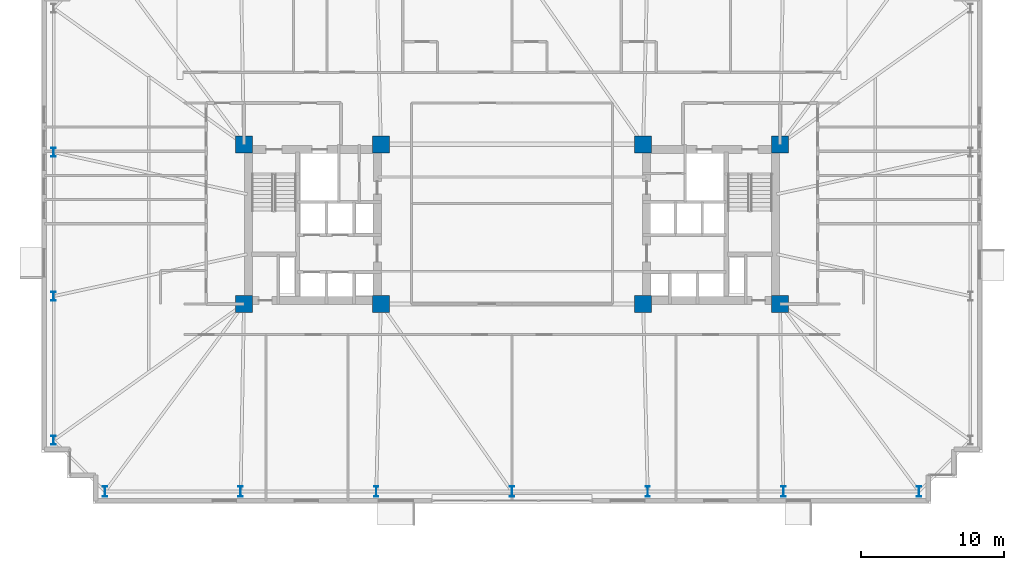
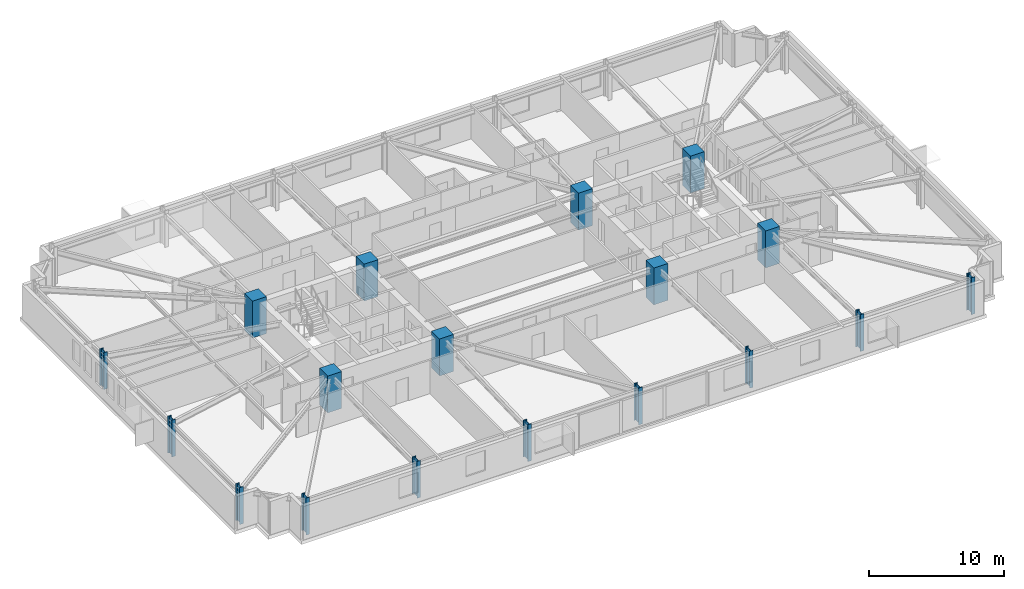
# One storey, part 1 of 26: 18 columns.
"""IFC4 building model written with IfcOpenShell, lengths in metres."""

from ifc_helpers import new_model, si_unit, direction, frame, origin, origin_2d, place, context, subcontext, project, spatial, rectangle, i_section, extrude, material, material_profile, profile_set, type_object, element, save


model = new_model("IFC4")

# Units and contexts
model_context = context("Model", 3, precision=1e-05, world=origin(), true_north=direction((0.0, 1.0)))
body_context = subcontext(model_context, "Body", "Model", "MODEL_VIEW")
ifc_project = project(units=[si_unit("LENGTHUNIT", "METRE"), si_unit("AREAUNIT", "SQUARE_METRE"), si_unit("VOLUMEUNIT", "CUBIC_METRE"), si_unit("PLANEANGLEUNIT", "RADIAN"), si_unit("MASSUNIT", "GRAM", prefix="KILO")], contexts=[model_context])

# Site, building, storey
site_placement = place(None, origin())
site = spatial("IfcSite", under=ifc_project, at=site_placement, CompositionType="ELEMENT")
building_placement = place(site_placement, origin())
building = spatial("IfcBuilding", under=site, at=building_placement, Name="Qobustan Lattice House", CompositionType="ELEMENT")
storey_placement = place(building_placement, frame((0.0, 0.0, 47.10009765625)))
storey = spatial("IfcBuildingStorey", under=building, at=storey_placement, Name="L12", CompositionType="ELEMENT", Elevation=47.10009765625)

# Columns
ifc_material_1 = material(Name="Concrete C60/75", Category="concrete")
ifc_material_profile_1 = material_profile(ifc_material_1, rectangle(XDim=1.199951171875, YDim=1.199951171875, at=origin_2d()), Name="RC1200x1200")
ifc_profile_set_1 = profile_set([ifc_material_profile_1], Name="Concrete C60/75")
column_type_1 = type_object("IfcColumnType", Name="COL-RC-1200", PredefinedType="COLUMN", material=ifc_profile_set_1)
for number, where, z_axis, x_axis, name in (
    (1, (-18.800048828125, -5.60009765625, 0.0), (0.0, 0.0, 1.0), (1.0, 0.0, 0.0), "L12 core mega-column CW-SW"),
    (2, (-18.800048828125, 5.60009765625, 0.0), (0.0, 0.0, 1.0), (1.0, 0.0, 0.0), "L12 core mega-column CW-NW"),
    (3, (-9.199951171875, -5.60009765625, 0.0), (0.0, 0.0, 1.0), (1.0, 0.0, 0.0), "L12 core mega-column CW-SE"),
    (4, (-9.199951171875, 5.60009765625, 0.0), (0.0, 0.0, 1.0), (1.0, 0.0, 0.0), "L12 core mega-column CW-NE"),
    (5, (9.199951171875, -5.60009765625, 0.0), (0.0, 0.0, 1.0), (1.0, 0.0, 0.0), "L12 core mega-column CE-SW"),
    (6, (9.199951171875, 5.60009765625, 0.0), (0.0, 0.0, 1.0), (1.0, 0.0, 0.0), "L12 core mega-column CE-NW"),
    (7, (18.800048828125, -5.60009765625, 0.0), (0.0, 0.0, 1.0), (1.0, 0.0, 0.0), "L12 core mega-column CE-SE"),
    (8, (18.800048828125, 5.60009765625, 0.0), (0.0, 0.0, 1.0), (1.0, 0.0, 0.0), "L12 core mega-column CE-NE"),
):
    element("IfcColumn", number, at=place(storey_placement, frame(where, z_axis=z_axis, x_axis=x_axis)), inside=storey, type_object=column_type_1, Name=name, PredefinedType="COLUMN", context=body_context, shape_type="SweptSolid", body=[
        extrude(rectangle(XDim=1.199951171875, YDim=1.199951171875, at=origin_2d()), origin(), (0.0, 0.0, 1.0), 3.349853515625),
    ])
ifc_material_2 = material(Name="Steel S460", Category="steel")
ifc_material_profile_2 = material_profile(ifc_material_2, i_section(OverallWidth=0.304931640625, OverallDepth=0.6201171875, WebThickness=0.02099609375, FlangeThickness=0.0400390625, FilletRadius=0.027099609375, at=origin_2d()), Name="HEM600")
ifc_profile_set_2 = profile_set([ifc_material_profile_2], Name="Steel S460")
column_type_2 = type_object("IfcColumnType", Name="COL-ST-HEM600", PredefinedType="COLUMN", material=ifc_profile_set_2)
for number, where, z_axis, x_axis, name in (
    (9, (-32.14990234375, 5.050048828125, 0.0), (0.0, 0.0, 1.0), (1.0, 0.0, 0.0), "L12 B1 perimeter column W2"),
    (10, (-32.14990234375, -5.050048828125, 0.0), (0.0, 0.0, 1.0), (1.0, 0.0, 0.0), "L12 B1 perimeter column W3"),
    (11, (-32.14990234375, -15.14990234375, 0.0), (0.0, 0.0, 1.0), (1.0, 0.0, 0.0), "L12 B1 perimeter column W4"),
):
    element("IfcColumn", number, at=place(storey_placement, frame(where, z_axis=z_axis, x_axis=x_axis)), inside=storey, type_object=column_type_2, Name=name, PredefinedType="COLUMN", context=body_context, shape_type="SweptSolid", body=[
        extrude(i_section(OverallWidth=0.304931640625, OverallDepth=0.6201171875, WebThickness=0.02099609375, FlangeThickness=0.0400390625, FilletRadius=0.027099609375, at=origin_2d()), origin(), (0.0, 0.0, 1.0), 3.349853515625),
    ])
ifc_material_3 = material(Name="Steel S460", Category="steel")
ifc_material_profile_3 = material_profile(ifc_material_3, i_section(OverallWidth=0.303955078125, OverallDepth=0.716064453125, WebThickness=0.02099609375, FlangeThickness=0.0400390625, FilletRadius=0.027099609375, at=origin_2d()), Name="HEM700")
ifc_profile_set_3 = profile_set([ifc_material_profile_3], Name="Steel S460")
column_type_3 = type_object("IfcColumnType", Name="COL-ST-HEM700", PredefinedType="COLUMN", material=ifc_profile_set_3)
for number, where, z_axis, x_axis, name in (
    (12, (-28.550048828125, -18.75, 0.0), (0.0, 0.0, 1.0), (1.0, 0.0, 0.0), "L12 B1 perimeter column S1"),
    (13, (-19.033203125, -18.75, 0.0), (0.0, 0.0, 1.0), (1.0, 0.0, 0.0), "L12 B1 perimeter column S2"),
    (14, (-9.5166015625, -18.75, 0.0), (0.0, 0.0, 1.0), (1.0, 0.0, 0.0), "L12 B1 perimeter column S3"),
    (15, (0.0, -18.75, 0.0), (0.0, 0.0, 1.0), (1.0, 0.0, 0.0), "L12 B1 perimeter column S4"),
    (16, (9.5166015625, -18.75, 0.0), (0.0, 0.0, 1.0), (1.0, 0.0, 0.0), "L12 B1 perimeter column S5"),
    (17, (19.033203125, -18.75, 0.0), (0.0, 0.0, 1.0), (1.0, 0.0, 0.0), "L12 B1 perimeter column S6"),
    (18, (28.550048828125, -18.75, 0.0), (0.0, 0.0, 1.0), (1.0, 0.0, 0.0), "L12 B1 perimeter column S7"),
):
    element("IfcColumn", number, at=place(storey_placement, frame(where, z_axis=z_axis, x_axis=x_axis)), inside=storey, type_object=column_type_3, Name=name, PredefinedType="COLUMN", context=body_context, shape_type="SweptSolid", body=[
        extrude(i_section(OverallWidth=0.303955078125, OverallDepth=0.716064453125, WebThickness=0.02099609375, FlangeThickness=0.0400390625, FilletRadius=0.027099609375, at=origin_2d()), origin(), (0.0, 0.0, 1.0), 3.349853515625),
    ])

save(model, "model.ifc")
